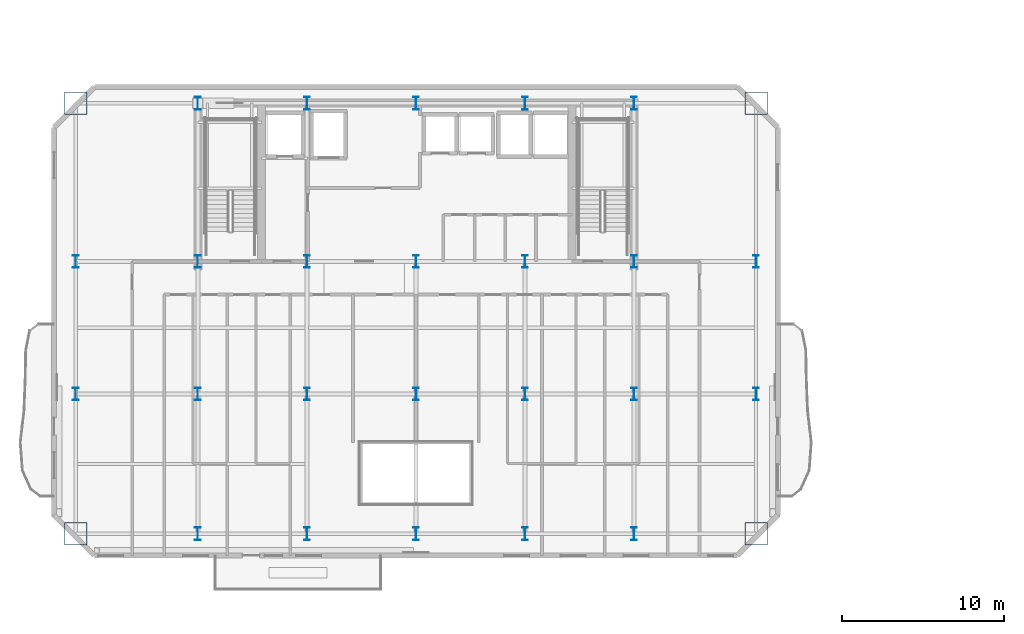
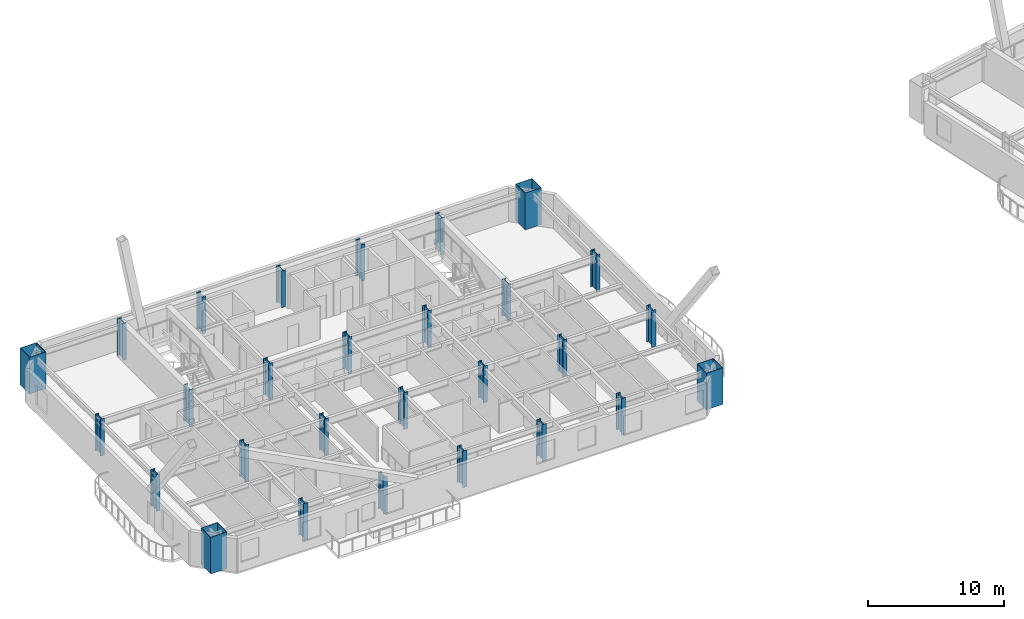
# One storey, part 1 of 14: 28 columns.
"""IFC4 building model written with IfcOpenShell, lengths in metres."""

from ifc_helpers import new_model, si_unit, direction, frame, origin, origin_2d, place, context, subcontext, project, spatial, hollow_rectangle, i_section, extrude, material, material_profile, profile_set, type_object, element, save


model = new_model("IFC4")

# Units and contexts
model_context = context("Model", 3, precision=1e-05, world=origin(), true_north=direction((0.0, 1.0)))
body_context = subcontext(model_context, "Body", "Model", "MODEL_VIEW")
ifc_project = project(units=[si_unit("LENGTHUNIT", "METRE"), si_unit("AREAUNIT", "SQUARE_METRE"), si_unit("VOLUMEUNIT", "CUBIC_METRE"), si_unit("PLANEANGLEUNIT", "RADIAN"), si_unit("MASSUNIT", "GRAM", prefix="KILO")], contexts=[model_context])

# Site, building, storey
site_placement = place(None, origin())
site = spatial("IfcSite", under=ifc_project, at=site_placement, CompositionType="ELEMENT")
building_placement = place(site_placement, origin())
building = spatial("IfcBuilding", under=site, at=building_placement, Name="Haevon Station Towers", CompositionType="ELEMENT")
storey_placement = place(building_placement, frame((0.0, 0.0, 123.0)))
storey = spatial("IfcBuildingStorey", under=building, at=storey_placement, Name="L33", CompositionType="ELEMENT", Elevation=123.0)

# Columns
ifc_material = material(Name="Steel S460", Category="steel")
ifc_material_profile_1 = material_profile(ifc_material, hollow_rectangle(XDim=1.39990234375, YDim=1.39990234375, WallThickness=0.035888671875, at=origin_2d()), Name="BOX-1400x1400x36")
ifc_profile_set_1 = profile_set([ifc_material_profile_1], Name="Steel S460")
column_type_1 = type_object("IfcColumnType", Name="COL-MC3", PredefinedType="COLUMN", material=ifc_profile_set_1)
for number, where, z_axis, x_axis, name in (
    (1, (16.449951171875, 21.35009765625, 0.0), (0.0, 0.0, 1.0), (1.0, 0.0, 0.0), "COL-T1-L33-01-01"),
    (2, (16.449951171875, 48.0, 0.0), (0.0, 0.0, 1.0), (1.0, 0.0, 0.0), "COL-T1-L33-01-04"),
    (3, (58.550048828125, 21.35009765625, 0.0), (0.0, 0.0, 1.0), (1.0, 0.0, 0.0), "COL-T1-L33-07-01"),
    (4, (58.550048828125, 48.0, 0.0), (0.0, 0.0, 1.0), (1.0, 0.0, 0.0), "COL-T1-L33-07-04"),
):
    element("IfcColumn", number, at=place(storey_placement, frame(where, z_axis=z_axis, x_axis=x_axis)), inside=storey, type_object=column_type_1, Name=name, PredefinedType="COLUMN", context=body_context, shape_type="SweptSolid", body=[
        extrude(hollow_rectangle(XDim=1.39990234375, YDim=1.39990234375, WallThickness=0.035888671875, at=origin_2d()), origin(), (0.0, 0.0, 1.0), 3.300048828125),
    ])
ifc_material_profile_2 = material_profile(ifc_material, i_section(OverallWidth=0.35009765625, OverallDepth=0.800048828125, WebThickness=0.01806640625, FlangeThickness=0.031982421875, at=origin_2d()), Name="H-800x350x18x32")
ifc_profile_set_2 = profile_set([ifc_material_profile_2], Name="Steel S460")
column_type_2 = type_object("IfcColumnType", Name="COL-TW2", PredefinedType="COLUMN", material=ifc_profile_set_2)
for number, where, z_axis, x_axis, name in (
    (5, (16.449951171875, 30.0, 0.0), (0.0, 0.0, 1.0), (1.0, 0.0, 0.0), "COL-T1-L33-01-02"),
    (6, (16.449951171875, 38.199951171875, 0.0), (0.0, 0.0, 1.0), (1.0, 0.0, 0.0), "COL-T1-L33-01-03"),
    (7, (24.0, 21.35009765625, 0.0), (0.0, 0.0, 1.0), (1.0, 0.0, 0.0), "COL-T1-L33-02-01"),
    (8, (24.0, 30.0, 0.0), (0.0, 0.0, 1.0), (1.0, 0.0, 0.0), "COL-T1-L33-02-02"),
    (9, (24.0, 38.199951171875, 0.0), (0.0, 0.0, 1.0), (1.0, 0.0, 0.0), "COL-T1-L33-02-03"),
    (10, (24.0, 48.0, 0.0), (0.0, 0.0, 1.0), (1.0, 0.0, 0.0), "COL-T1-L33-02-04"),
    (11, (30.75, 21.35009765625, 0.0), (0.0, 0.0, 1.0), (1.0, 0.0, 0.0), "COL-T1-L33-03-01"),
    (12, (30.75, 30.0, 0.0), (0.0, 0.0, 1.0), (1.0, 0.0, 0.0), "COL-T1-L33-03-02"),
    (13, (30.75, 38.199951171875, 0.0), (0.0, 0.0, 1.0), (1.0, 0.0, 0.0), "COL-T1-L33-03-03"),
    (14, (30.75, 48.0, 0.0), (0.0, 0.0, 1.0), (1.0, 0.0, 0.0), "COL-T1-L33-03-04"),
    (15, (37.5, 21.35009765625, 0.0), (0.0, 0.0, 1.0), (1.0, 0.0, 0.0), "COL-T1-L33-04-01"),
    (16, (37.5, 30.0, 0.0), (0.0, 0.0, 1.0), (1.0, 0.0, 0.0), "COL-T1-L33-04-02"),
    (17, (37.5, 38.199951171875, 0.0), (0.0, 0.0, 1.0), (1.0, 0.0, 0.0), "COL-T1-L33-04-03"),
    (18, (37.5, 48.0, 0.0), (0.0, 0.0, 1.0), (1.0, 0.0, 0.0), "COL-T1-L33-04-04"),
    (19, (44.25, 21.35009765625, 0.0), (0.0, 0.0, 1.0), (1.0, 0.0, 0.0), "COL-T1-L33-05-01"),
    (20, (44.25, 30.0, 0.0), (0.0, 0.0, 1.0), (1.0, 0.0, 0.0), "COL-T1-L33-05-02"),
    (21, (44.25, 38.199951171875, 0.0), (0.0, 0.0, 1.0), (1.0, 0.0, 0.0), "COL-T1-L33-05-03"),
    (22, (44.25, 48.0, 0.0), (0.0, 0.0, 1.0), (1.0, 0.0, 0.0), "COL-T1-L33-05-04"),
    (23, (51.0, 21.35009765625, 0.0), (0.0, 0.0, 1.0), (1.0, 0.0, 0.0), "COL-T1-L33-06-01"),
    (24, (51.0, 30.0, 0.0), (0.0, 0.0, 1.0), (1.0, 0.0, 0.0), "COL-T1-L33-06-02"),
    (25, (51.0, 38.199951171875, 0.0), (0.0, 0.0, 1.0), (1.0, 0.0, 0.0), "COL-T1-L33-06-03"),
    (26, (51.0, 48.0, 0.0), (0.0, 0.0, 1.0), (1.0, 0.0, 0.0), "COL-T1-L33-06-04"),
    (27, (58.550048828125, 30.0, 0.0), (0.0, 0.0, 1.0), (1.0, 0.0, 0.0), "COL-T1-L33-07-02"),
    (28, (58.550048828125, 38.199951171875, 0.0), (0.0, 0.0, 1.0), (1.0, 0.0, 0.0), "COL-T1-L33-07-03"),
):
    element("IfcColumn", number, at=place(storey_placement, frame(where, z_axis=z_axis, x_axis=x_axis)), inside=storey, type_object=column_type_2, Name=name, PredefinedType="COLUMN", context=body_context, shape_type="SweptSolid", body=[
        extrude(i_section(OverallWidth=0.35009765625, OverallDepth=0.800048828125, WebThickness=0.01806640625, FlangeThickness=0.031982421875, at=origin_2d()), origin(), (0.0, 0.0, 1.0), 3.300048828125),
    ])

save(model, "model.ifc")
